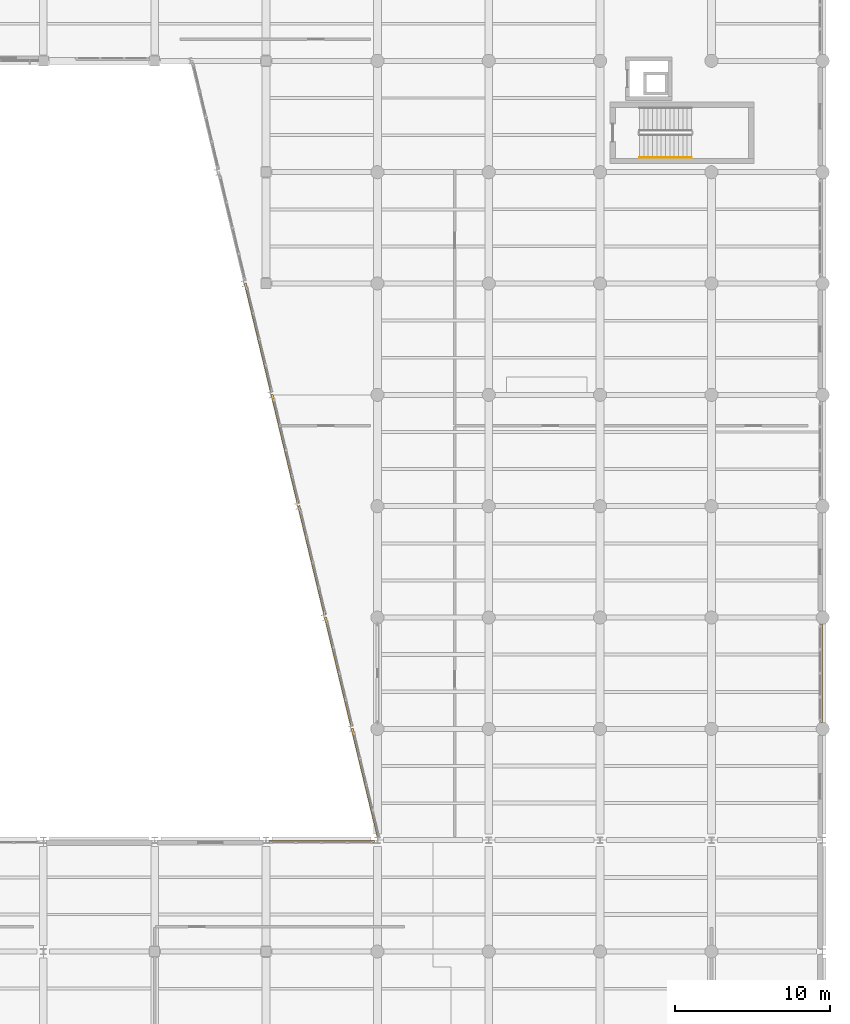
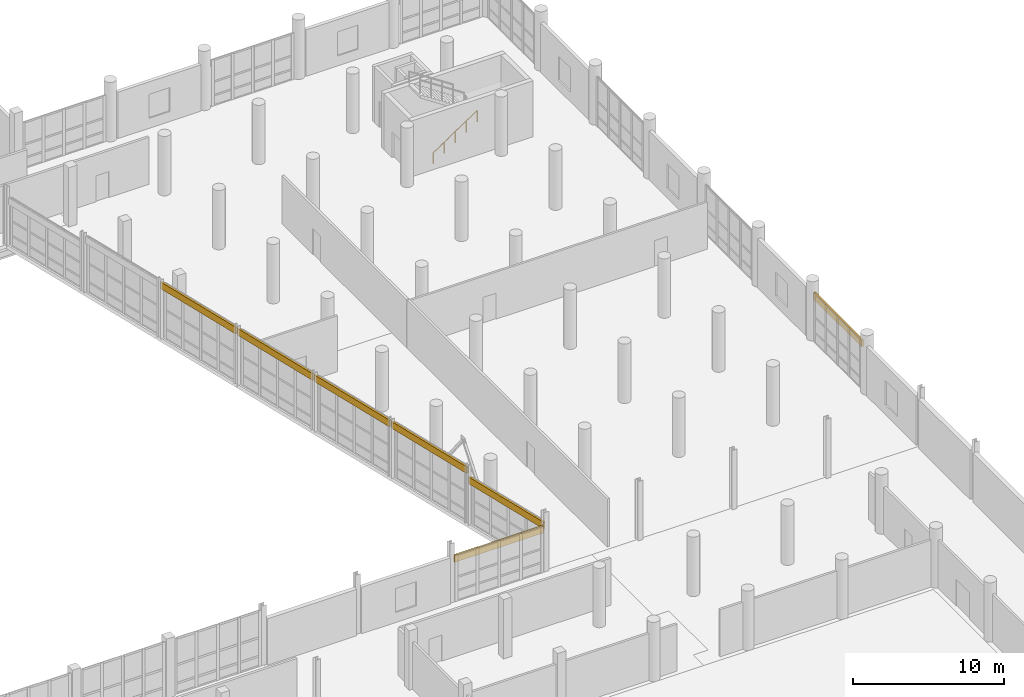
# One storey, part 125 of 127: 7 shading devices, 1 railing.
"""IFC4 building model written with IfcOpenShell, lengths in metres."""

from ifc_helpers import new_model, si_unit, direction, frame, origin, origin_2d, place, context, subcontext, project, spatial, rectangle, circle, extrude, material, layer, layer_set, type_object, element, save


model = new_model("IFC4")

# Units and contexts
model_context = context("Model", 3, precision=1e-05, world=origin(), true_north=direction((0.0, 1.0)))
body_context = subcontext(model_context, "Body", "Model", "MODEL_VIEW")
ifc_project = project(units=[si_unit("LENGTHUNIT", "METRE"), si_unit("AREAUNIT", "SQUARE_METRE"), si_unit("VOLUMEUNIT", "CUBIC_METRE"), si_unit("PLANEANGLEUNIT", "RADIAN"), si_unit("MASSUNIT", "GRAM", prefix="KILO")], contexts=[model_context])

# Site, building, storey
site_placement = place(None, origin())
site = spatial("IfcSite", under=ifc_project, at=site_placement, CompositionType="ELEMENT")
building_placement = place(site_placement, origin())
building = spatial("IfcBuilding", under=site, at=building_placement, Name="Kalmorath City Hall", CompositionType="ELEMENT")
storey_placement = place(building_placement, frame((0.0, 0.0, 5.39990234375)))
storey = spatial("IfcBuildingStorey", under=building, at=storey_placement, Name="L01", CompositionType="ELEMENT", Elevation=5.39990234375)

# Shading devices
ifc_material_1 = material(Name="Bronze anodised storm louvre")
ifc_layer = layer(ifc_material_1, 0.139892578125)
ifc_layer_set = layer_set([ifc_layer], Name="Bronze anodised storm louvre")
shading_device_type = type_object("IfcShadingDeviceType", Name="Hurricane bronze storm louvre bank", PredefinedType="JALOUSIE", material=ifc_layer_set)
shading_device_1_placement = place(storey_placement, frame((165.5, 54.0, 3.40087890625), z_axis=(0.0, 0.0, 1.0), x_axis=(0.0, -1.0, 0.0)))
element("IfcShadingDevice", 1, at=shading_device_1_placement, inside=storey, type_object=shading_device_type, Name="L01 library storm louvre #146", PredefinedType="JALOUSIE", context=body_context, shape_type="SweptSolid", body=[
    extrude(rectangle(XDim=6.347900390625, YDim=0.139892578125, at=origin_2d()), origin(), (0.0, 0.0, 1.0), 0.550048828125),
])
shading_device_2_placement = place(storey_placement, frame((133.199951171875, 43.10009765625, 3.17626953125), z_axis=(0.0, 0.0, 1.0), x_axis=(1.0, 0.0, 0.0)))
element("IfcShadingDevice", 2, at=shading_device_2_placement, inside=storey, type_object=shading_device_type, Name="L01 library storm louvre #163", PredefinedType="JALOUSIE", context=body_context, shape_type="SweptSolid", body=[
    extrude(rectangle(XDim=6.823974609375, YDim=0.139892578125, at=origin_2d()), origin(), (0.0, 0.0, 1.0), 0.550048828125),
])
shading_device_3_placement = place(storey_placement, frame((136.014892578125, 46.898193359375, 3.22607421875), z_axis=(0.0, 0.0, 1.0), x_axis=(-0.233445363856, 0.972369920398, 0.0)))
element("IfcShadingDevice", 3, at=shading_device_3_placement, inside=storey, type_object=shading_device_type, Name="L01 library storm louvre #164", PredefinedType="JALOUSIE", context=body_context, shape_type="SweptSolid", body=[
    extrude(rectangle(XDim=7.250732421875, YDim=0.139892578125, at=origin_2d()), origin(), (0.0, 0.0, 1.0), 0.550048828125),
])
for number, where, z_axis, x_axis, name in (
    (4, (134.287109375, 54.09521484375, 3.9453125), (0.0, 0.0, 1.0), (-0.233445363856, 0.972369920398, 0.0), "L01 library storm louvre #165"),
    (5, (132.558349609375, 61.295166015625, 3.9453125), (0.0, 0.0, 1.0), (-0.233445363856, 0.972369920398, 0.0), "L01 library storm louvre #166"),
    (6, (130.829833984375, 68.4951171875, 3.9453125), (0.0, 0.0, 1.0), (-0.233445363856, 0.972369920398, 0.0), "L01 library storm louvre #167"),
    (7, (129.101318359375, 75.6953125, 3.9453125), (0.0, 0.0, 1.0), (-0.233445363856, 0.972369920398, 0.0), "L01 library storm louvre #168"),
):
    element("IfcShadingDevice", number, at=place(storey_placement, frame(where, z_axis=z_axis, x_axis=x_axis)), inside=storey, type_object=shading_device_type, Name=name, PredefinedType="JALOUSIE", context=body_context, shape_type="SweptSolid", body=[
        extrude(rectangle(XDim=7.2568359375, YDim=0.139892578125, at=origin_2d()), origin(), (0.0, 0.0, 1.0), 0.550048828125),
    ])

# Railing
ifc_material_2 = material(Name="Brushed stainless steel handrail", Category="steel")
railing_type = type_object("IfcRailingType", Name="Stair pitch handrail 900", PredefinedType="HANDRAIL", material=ifc_material_2)
railing_placement = place(storey_placement, frame((153.75, 87.35009765625, 0.184814453125)))
element("IfcRailing", 8, at=railing_placement, inside=storey, type_object=railing_type, Name="L01 ST-6 stair handrail 1", PredefinedType="HANDRAIL", context=body_context, shape_type="SweptSolid", body=[
    extrude(circle(Radius=0.02392578125, at=origin_2d()), frame((0.0, 0.0, 0.8759765625), z_axis=(0.834876476806, 0.0, 0.550437342915), x_axis=(0.0, 1.0, 0.0)), (0.0, 0.0, 1.0), 4.024658203125),
    extrude(circle(Radius=0.02099609375, at=origin_2d()), origin(), (0.0, 0.0, 1.0), 0.851806640625),
    extrude(circle(Radius=0.02099609375, at=origin_2d()), frame((0.840087890625, 0.0, 0.5537109375)), (0.0, 0.0, 1.0), 0.851806640625),
    extrude(circle(Radius=0.02099609375, at=origin_2d()), frame((1.68017578125, 0.0, 1.107666015625)), (0.0, 0.0, 1.0), 0.851806640625),
    extrude(circle(Radius=0.02099609375, at=origin_2d()), frame((2.52001953125, 0.0, 1.66162109375)), (0.0, 0.0, 1.0), 0.851806640625),
    extrude(circle(Radius=0.02099609375, at=origin_2d()), frame((3.360107421875, 0.0, 2.21533203125)), (0.0, 0.0, 1.0), 0.851806640625),
])

save(model, "model.ifc")
